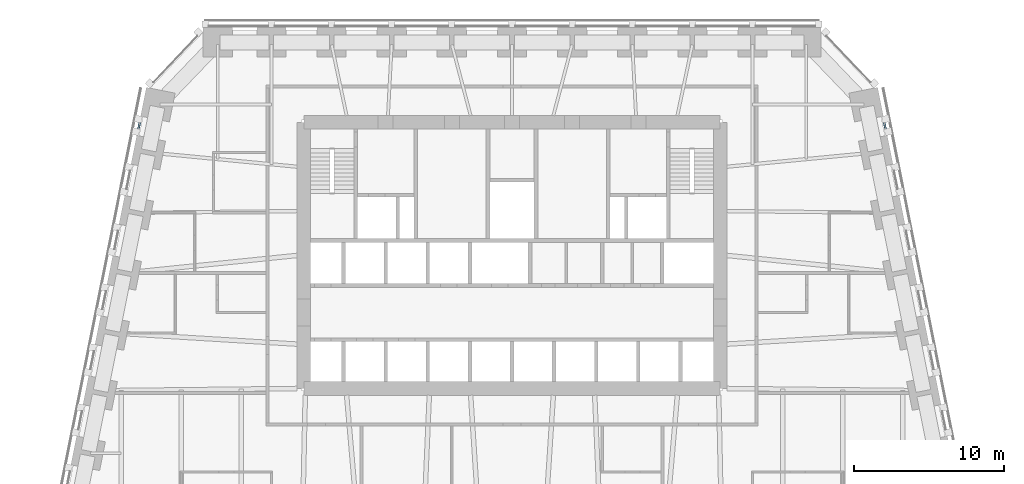
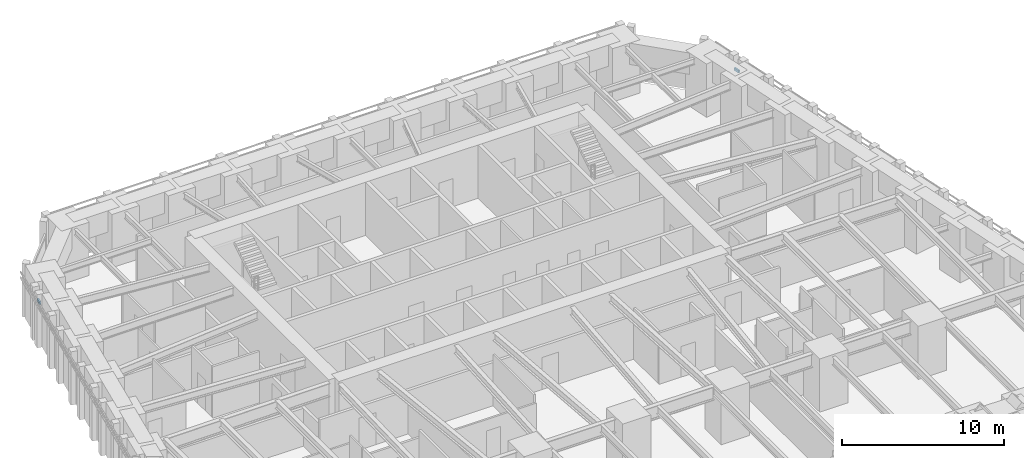
# One storey, part 6 of 16: 2 members, 2 elements without a shape of their own.
"""IFC4 building model written with IfcOpenShell, lengths in metres."""

from ifc_helpers import new_model, si_unit, direction, frame, origin, origin_2d, place, context, subcontext, project, spatial, rectangle, extrude, material, material_profile, profile_set, type_object, element, aggregate, save


model = new_model("IFC4")

# Units and contexts
model_context = context("Model", 3, precision=1e-05, world=origin(), true_north=direction((0.0, 1.0)))
body_context = subcontext(model_context, "Body", "Model", "MODEL_VIEW")
ifc_project = project(units=[si_unit("LENGTHUNIT", "METRE"), si_unit("AREAUNIT", "SQUARE_METRE"), si_unit("VOLUMEUNIT", "CUBIC_METRE"), si_unit("PLANEANGLEUNIT", "RADIAN"), si_unit("MASSUNIT", "GRAM", prefix="KILO")], contexts=[model_context])

# Site, building, storey
site_placement = place(None, origin())
site = spatial("IfcSite", under=ifc_project, at=site_placement, CompositionType="ELEMENT")
building_placement = place(site_placement, origin())
building = spatial("IfcBuilding", under=site, at=building_placement, Name="Isbrekke Arena Tower", CompositionType="ELEMENT")
storey_placement = place(building_placement, frame((0.0, 0.0, 36.0)))
storey = spatial("IfcBuildingStorey", under=building, at=storey_placement, Name="L06", CompositionType="ELEMENT", Elevation=36.0)

# Curtain wall, member
ifc_material_1 = material(Name="Glazed aluminium curtain wall", Category="aluminium")
curtain_wall_type = type_object("IfcCurtainWallType", Name="CWL TOWER CURTAIN WALL LOW ZONE", PredefinedType="USERDEFINED", material=ifc_material_1)
curtain_wall_1_placement = place(storey_placement, origin())
curtain_wall_1 = element("IfcCurtainWall", 1, at=curtain_wall_1_placement, inside=storey, type_object=curtain_wall_type, Name="CWL curtain wall L06-E19", ObjectType="TOWER CURTAIN WALL LOW ZONE", PredefinedType="USERDEFINED")
ifc_material_2 = material(Name="Aluminium transom", Category="aluminium")
ifc_material_profile = material_profile(ifc_material_2, rectangle(XDim=0.1201171875, YDim=0.199951171875, at=origin_2d()), Name="TRANSOM 120X200")
ifc_profile_set = profile_set([ifc_material_profile], Name="Aluminium transom")
member_type = type_object("IfcMemberType", Name="CWL-T TRANSOM 120 x 200", PredefinedType="USERDEFINED", material=ifc_profile_set)
member_1_placement = place(storey_placement, frame((24.843017578125, 23.421875, 3.0), z_axis=(-0.196000512897, 0.98060379305, 0.0), x_axis=(-0.98060379305, -0.196000512897, 0.0)))
member_1 = element("IfcMember", 2, at=member_1_placement, type_object=member_type, Name="CWL-T transom 1", ObjectType="TRANSOM", PredefinedType="USERDEFINED", context=body_context, shape_type="SweptSolid", body=[
    extrude(rectangle(XDim=0.1201171875, YDim=0.199951171875, at=origin_2d()), origin(), (0.0, 0.0, 1.0), 0.406005859375),
])
aggregate(curtain_wall_1, [member_1])

curtain_wall_2_placement = place(storey_placement, origin())
curtain_wall_2 = element("IfcCurtainWall", 3, at=curtain_wall_2_placement, inside=storey, type_object=curtain_wall_type, Name="CWL curtain wall L06-W", ObjectType="TOWER CURTAIN WALL LOW ZONE", PredefinedType="USERDEFINED")
member_2_placement = place(storey_placement, frame((-24.763427734375, 23.820068359375, 3.0), z_axis=(-0.196000512897, -0.98060379305, 0.0), x_axis=(0.98060379305, -0.196000512897, 0.0)))
member_2 = element("IfcMember", 4, at=member_2_placement, type_object=member_type, Name="CWL-T transom 1", ObjectType="TRANSOM", PredefinedType="USERDEFINED", context=body_context, shape_type="SweptSolid", body=[
    extrude(rectangle(XDim=0.1201171875, YDim=0.199951171875, at=origin_2d()), origin(), (0.0, 0.0, 1.0), 0.406005859375),
])
aggregate(curtain_wall_2, [member_2])

save(model, "model.ifc")
